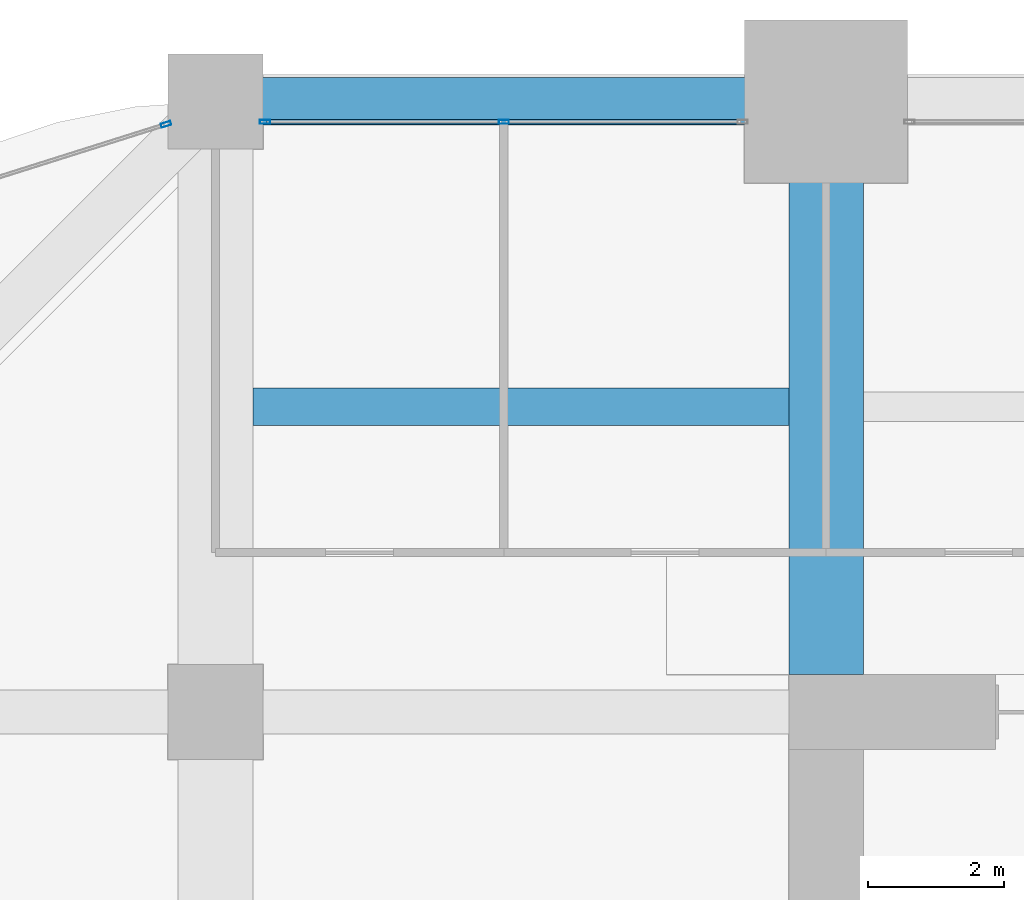
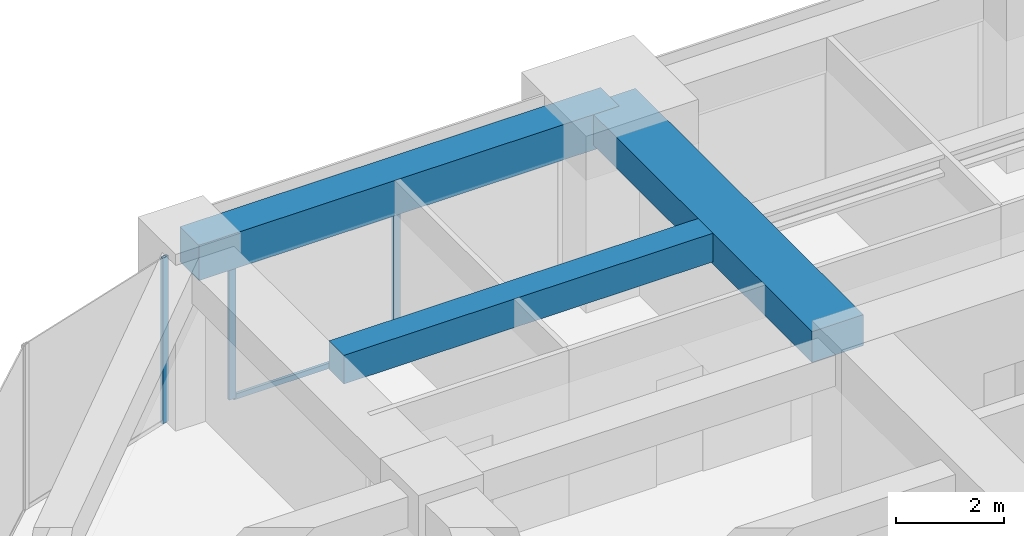
# One storey, part 23 of 33: 4 members, 3 beams, 2 elements without a shape of their own.
"""IFC4 building model written with IfcOpenShell, lengths in metres."""

from ifc_helpers import new_model, si_unit, direction, frame, origin, origin_2d, place, context, subcontext, project, spatial, rectangle, hollow_rectangle, extrude, material, material_profile, profile_set, type_object, element, aggregate, save


model = new_model("IFC4")

# Units and contexts
model_context = context("Model", 3, precision=1e-05, world=origin(), true_north=direction((0.0, 1.0)))
body_context = subcontext(model_context, "Body", "Model", "MODEL_VIEW")
ifc_project = project(units=[si_unit("LENGTHUNIT", "METRE"), si_unit("AREAUNIT", "SQUARE_METRE"), si_unit("VOLUMEUNIT", "CUBIC_METRE"), si_unit("PLANEANGLEUNIT", "RADIAN"), si_unit("MASSUNIT", "GRAM", prefix="KILO")], contexts=[model_context])

# Site, building, storey
site_placement = place(None, origin())
site = spatial("IfcSite", under=ifc_project, at=site_placement, CompositionType="ELEMENT")
building_placement = place(site_placement, origin())
building = spatial("IfcBuilding", under=site, at=building_placement, Name="Zorevar Civic Tower", CompositionType="ELEMENT")
storey_placement = place(building_placement, frame((0.0, 0.0, 206.199951171875)))
storey = spatial("IfcBuildingStorey", under=building, at=storey_placement, Name="L50", CompositionType="ELEMENT", Elevation=206.199951171875)

# Beams
ifc_material_1 = material(Name="Concrete C50/60", Category="concrete")
ifc_material_profile_1 = material_profile(ifc_material_1, rectangle(XDim=1.10009765625, YDim=0.699951171875, at=origin_2d()), Name="RC 1100x700")
ifc_profile_set_1 = profile_set([ifc_material_profile_1], Name="Concrete C50/60")
beam_type_1 = type_object("IfcBeamType", Name="Beam RC 1100x700", PredefinedType="BEAM", material=ifc_profile_set_1)
beam_1_placement = place(storey_placement, frame((18.0, 36.550048828125, 3.400146484375), z_axis=(0.0, 1.0, 0.0), x_axis=(-1.0, 0.0, 0.0)))
element("IfcBeam", 1, at=beam_1_placement, inside=storey, type_object=beam_type_1, Name="Girder L51", PredefinedType="BEAM", context=body_context, shape_type="SweptSolid", body=[
    extrude(rectangle(XDim=1.10009765625, YDim=0.699951171875, at=origin_2d()), origin(), (0.0, 0.0, 1.0), 8.449951171875),
])
ifc_material_2 = material(Name="Concrete C50/60", Category="concrete")
ifc_material_profile_2 = material_profile(ifc_material_2, rectangle(XDim=0.550048828125, YDim=0.64990234375, at=origin_2d()), Name="RC 550x650")
ifc_profile_set_2 = profile_set([ifc_material_profile_2], Name="Concrete C50/60")
beam_type_2 = type_object("IfcBeamType", Name="Beam RC 550x650", PredefinedType="BEAM", material=ifc_profile_set_2)
beam_2_placement = place(storey_placement, frame((9.550048828125, 40.5, 3.425048828125), z_axis=(1.0, 0.0, 0.0), x_axis=(0.0, 1.0, 0.0)))
element("IfcBeam", 2, at=beam_2_placement, inside=storey, type_object=beam_type_2, Name="Secondary beam L51", PredefinedType="BEAM", context=body_context, shape_type="SweptSolid", body=[
    extrude(rectangle(XDim=0.550048828125, YDim=0.64990234375, at=origin_2d()), origin(), (0.0, 0.0, 1.0), 7.89990234375),
])

# Curtain wall, members
ifc_material_3 = material(Name="Dark grey solar-control glass in black aluminium frame", Category="aluminium")
curtain_wall_type = type_object("IfcCurtainWallType", Name="Curtain wall CW4 high zone", PredefinedType="NOTDEFINED", material=ifc_material_3)
curtain_wall_1_placement = place(storey_placement, origin())
curtain_wall_1 = element("IfcCurtainWall", 3, at=curtain_wall_1_placement, inside=storey, type_object=curtain_wall_type, Name="CW4 L50", PredefinedType="NOTDEFINED")
ifc_material_4 = material(Name="Aluminium, black anodised", Category="aluminium")
ifc_material_profile_3 = material_profile(ifc_material_4, hollow_rectangle(XDim=0.06005859375, YDim=0.14990234375, WallThickness=0.00390625, at=origin_2d()), Name="AL 150x60x4")
ifc_profile_set_3 = profile_set([ifc_material_profile_3], Name="Aluminium, black anodised")
member_type_1 = type_object("IfcMemberType", Name="CW4 mullion AL 150x60x4", PredefinedType="MULLION", material=ifc_profile_set_3)
member_1_placement = place(storey_placement, frame((9.72998046875, 44.699951171875, 0.0), z_axis=(0.0, 0.0, 1.0), x_axis=(0.0, 1.0, 0.0)))
member_1 = element("IfcMember", 4, at=member_1_placement, type_object=member_type_1, Name="CW4 mullion 1", PredefinedType="MULLION", context=body_context, shape_type="SweptSolid", body=[
    extrude(hollow_rectangle(XDim=0.06005859375, YDim=0.14990234375, WallThickness=0.00390625, at=origin_2d()), origin(), (0.0, 0.0, 1.0), 2.949951171875),
])
member_2_placement = place(storey_placement, frame((13.25, 44.699951171875, 0.06005859375), z_axis=(0.0, 0.0, 1.0), x_axis=(0.0, 1.0, 0.0)))
member_2 = element("IfcMember", 5, at=member_2_placement, type_object=member_type_1, Name="CW4 mullion 2", PredefinedType="MULLION", context=body_context, shape_type="SweptSolid", body=[
    extrude(hollow_rectangle(XDim=0.06005859375, YDim=0.14990234375, WallThickness=0.00390625, at=origin_2d()), origin(), (0.0, 0.0, 1.0), 2.889892578125),
])

# Curtain wall, member
curtain_wall_2_placement = place(storey_placement, origin())
curtain_wall_2 = element("IfcCurtainWall", 6, at=curtain_wall_2_placement, inside=storey, type_object=curtain_wall_type, Name="CW4 L50", PredefinedType="NOTDEFINED")
member_3_placement = place(storey_placement, frame((8.271484375, 44.66259765625, 0.0), z_axis=(0.0, 0.0, 1.0), x_axis=(0.301108296077, -0.953589950678, 0.0)))
member_3 = element("IfcMember", 7, at=member_3_placement, type_object=member_type_1, Name="CW4 mullion 1", PredefinedType="MULLION", context=body_context, shape_type="SweptSolid", body=[
    extrude(hollow_rectangle(XDim=0.06005859375, YDim=0.14990234375, WallThickness=0.00390625, at=origin_2d()), origin(), (0.0, 0.0, 1.0), 3.75),
])
aggregate(curtain_wall_2, [member_3])

# Member
ifc_material_5 = material(Name="Aluminium, black anodised", Category="aluminium")
ifc_material_profile_4 = material_profile(ifc_material_5, hollow_rectangle(XDim=0.06005859375, YDim=0.1201171875, WallThickness=0.0029296875, at=origin_2d()), Name="AL 120x60x3")
ifc_profile_set_4 = profile_set([ifc_material_profile_4], Name="Aluminium, black anodised")
member_type_2 = type_object("IfcMemberType", Name="CW4 transom AL 120x60x3", PredefinedType="USERDEFINED", material=ifc_profile_set_4)
member_4_placement = place(storey_placement, frame((9.760009765625, 44.699951171875, 0.030029296875), z_axis=(1.0, 0.0, 0.0), x_axis=(0.0, 1.0, 0.0)))
member_4 = element("IfcMember", 8, at=member_4_placement, type_object=member_type_2, Name="CW4 sill transom", ObjectType="TRANSOM", PredefinedType="USERDEFINED", context=body_context, shape_type="SweptSolid", body=[
    extrude(hollow_rectangle(XDim=0.06005859375, YDim=0.1201171875, WallThickness=0.0029296875, at=origin_2d()), origin(), (0.0, 0.0, 1.0), 6.97998046875),
])

aggregate(curtain_wall_1, [member_1, member_2, member_4])

# Beam
ifc_material_6 = material(Name="Concrete C50/60", Category="concrete")
ifc_material_profile_5 = material_profile(ifc_material_6, rectangle(XDim=0.699951171875, YDim=0.800048828125, at=origin_2d()), Name="RC 700x800")
ifc_profile_set_5 = profile_set([ifc_material_profile_5], Name="Concrete C50/60")
beam_type_3 = type_object("IfcBeamType", Name="Edge beam RC 700x800", PredefinedType="SPANDREL", material=ifc_profile_set_5)
beam_3_placement = place(storey_placement, frame((9.0, 45.0, 3.35009765625), z_axis=(1.0, 0.0, 0.0), x_axis=(0.0, 1.0, 0.0)))
element("IfcBeam", 9, at=beam_3_placement, inside=storey, type_object=beam_type_3, Name="Edge beam L51", PredefinedType="SPANDREL", context=body_context, shape_type="SweptSolid", body=[
    extrude(rectangle(XDim=0.699951171875, YDim=0.800048828125, at=origin_2d()), origin(), (0.0, 0.0, 1.0), 9.0),
])

save(model, "model.ifc")
